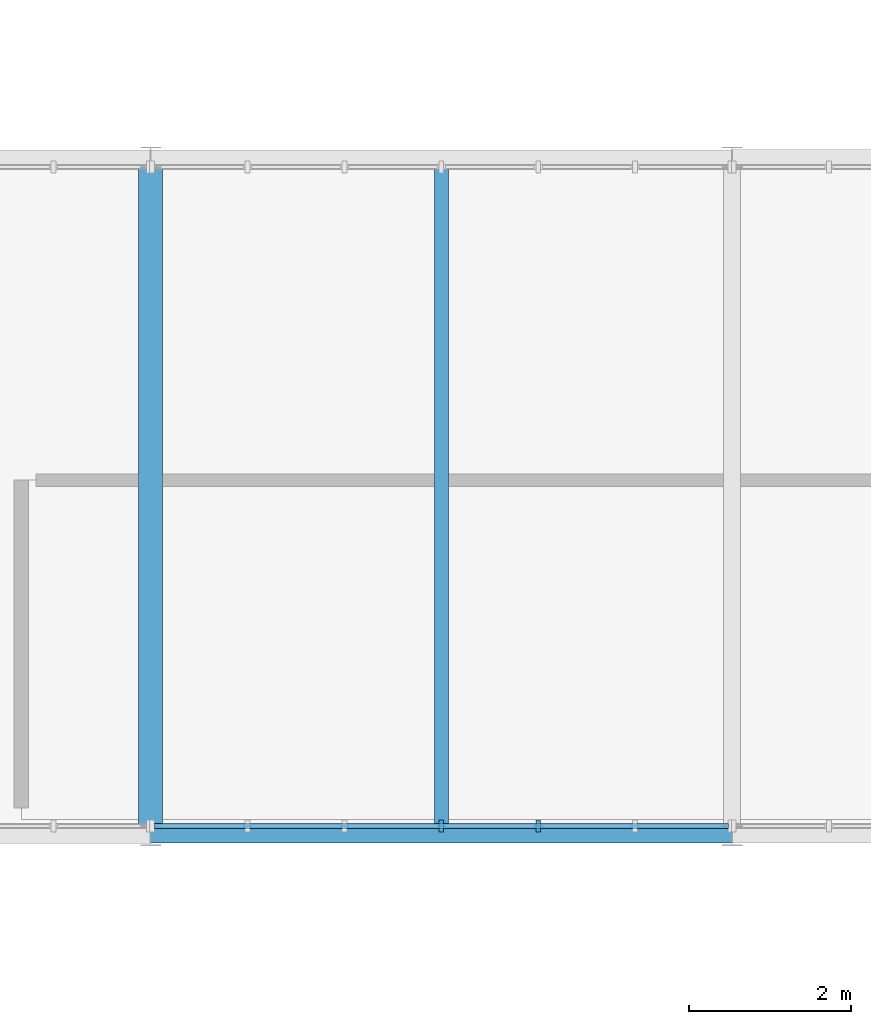
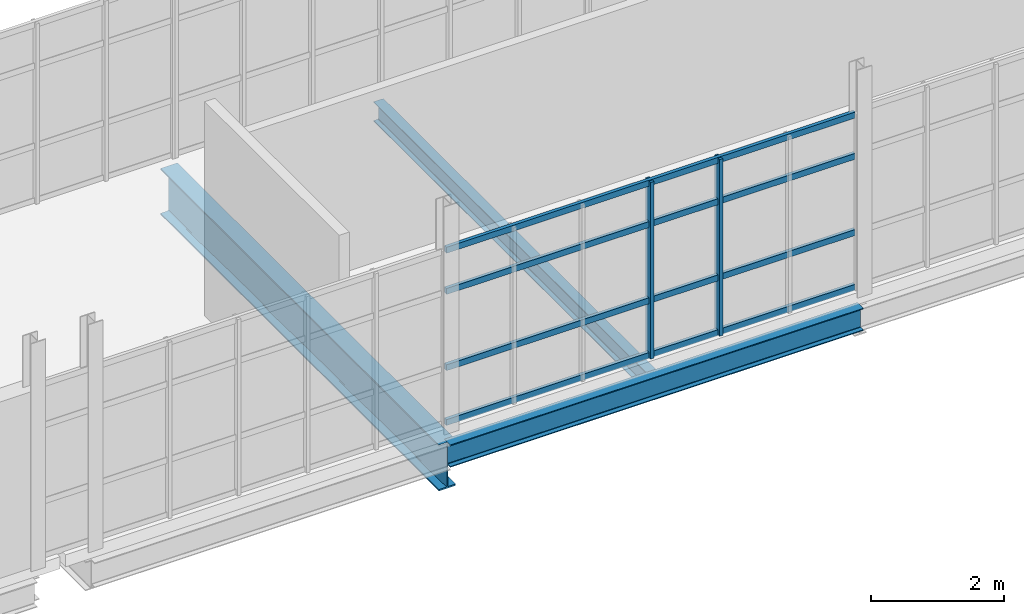
# One storey, part 24 of 99: 6 members, 3 beams, 1 element without a shape of its own.
"""IFC4 building model written with IfcOpenShell, lengths in metres."""

from ifc_helpers import new_model, si_unit, direction, frame, origin, origin_2d, place, context, subcontext, project, spatial, rectangle, i_section, extrude, material, material_profile, profile_set, type_object, element, aggregate, save


model = new_model("IFC4")

# Units and contexts
model_context = context("Model", 3, precision=1e-05, world=origin(), true_north=direction((0.0, 1.0)))
body_context = subcontext(model_context, "Body", "Model", "MODEL_VIEW")
ifc_project = project(units=[si_unit("LENGTHUNIT", "METRE"), si_unit("AREAUNIT", "SQUARE_METRE"), si_unit("VOLUMEUNIT", "CUBIC_METRE"), si_unit("PLANEANGLEUNIT", "RADIAN"), si_unit("MASSUNIT", "GRAM", prefix="KILO")], contexts=[model_context])

# Site, building, storey
site_placement = place(None, origin())
site = spatial("IfcSite", under=ifc_project, at=site_placement, CompositionType="ELEMENT")
building_placement = place(site_placement, origin())
building = spatial("IfcBuilding", under=site, at=building_placement, Name="Qelthora Terrace Specialist Clinic", CompositionType="ELEMENT")
storey_placement = place(building_placement, frame((0.0, 0.0, 9.0)))
storey = spatial("IfcBuildingStorey", under=building, at=storey_placement, Name="L02", CompositionType="ELEMENT", Elevation=9.0)

# Beams
ifc_material_1 = material(Name="Steel S355", Category="steel")
ifc_material_profile_1 = material_profile(ifc_material_1, i_section(OverallWidth=0.179931640625, OverallDepth=0.4130859375, WebThickness=0.009765625, FlangeThickness=0.01611328125, FilletRadius=0.011962890625, at=origin_2d()), Name="W410X75")
ifc_profile_set_1 = profile_set([ifc_material_profile_1], Name="Steel S355")
beam_type_1 = type_object("IfcBeamType", Name="BM-W410X75", PredefinedType="BEAM", material=ifc_profile_set_1)
beam_1_placement = place(storey_placement, frame((57.60009765625, 58.800048828125, -0.45654296875), z_axis=(1.0, 0.0, 0.0), x_axis=(0.0, 1.0, 0.0)))
element("IfcBeam", 1, at=beam_1_placement, inside=storey, type_object=beam_type_1, Name="Girder BMX-L02-0639", PredefinedType="BEAM", context=body_context, shape_type="SweptSolid", body=[
    extrude(i_section(OverallWidth=0.179931640625, OverallDepth=0.4130859375, WebThickness=0.009765625, FlangeThickness=0.01611328125, FilletRadius=0.011962890625, at=origin_2d()), origin(), (0.0, 0.0, 1.0), 7.199951171875),
])
ifc_material_profile_2 = material_profile(ifc_material_1, i_section(OverallWidth=0.2939453125, OverallDepth=0.85107421875, WebThickness=0.01611328125, FlangeThickness=0.02685546875, FilletRadius=0.02001953125, at=origin_2d()), Name="W840X226")
ifc_profile_set_2 = profile_set([ifc_material_profile_2], Name="Steel S355")
beam_type_2 = type_object("IfcBeamType", Name="BM-W840X226", PredefinedType="BEAM", material=ifc_profile_set_2)
beam_2_placement = place(storey_placement, frame((57.60009765625, 58.800048828125, -0.675537109375), z_axis=(0.0, 1.0, 0.0), x_axis=(-1.0, 0.0, 0.0)))
element("IfcBeam", 2, at=beam_2_placement, inside=storey, type_object=beam_type_2, Name="Girder BMY-L02-0811", PredefinedType="BEAM", context=body_context, shape_type="SweptSolid", body=[
    extrude(i_section(OverallWidth=0.2939453125, OverallDepth=0.85107421875, WebThickness=0.01611328125, FlangeThickness=0.02685546875, FilletRadius=0.02001953125, at=origin_2d()), origin(), (0.0, 0.0, 1.0), 8.39990234375),
])

# Curtain wall, members
ifc_material_2 = material(Name="Aluminium anodized bronze", Category="aluminium")
curtain_wall_type = type_object("IfcCurtainWallType", Name="CW-BRG-L02", PredefinedType="NOTDEFINED", material=ifc_material_2)
curtain_wall_placement = place(storey_placement, origin())
curtain_wall = element("IfcCurtainWall", 3, at=curtain_wall_placement, inside=storey, type_object=curtain_wall_type, Name="Curtain wall CW-L02-263", PredefinedType="NOTDEFINED")
ifc_material_profile_3 = material_profile(ifc_material_2, rectangle(XDim=0.06005859375, YDim=0.14990234375, at=origin_2d()), Name="CWM60X150")
ifc_profile_set_3 = profile_set([ifc_material_profile_3], Name="Aluminium anodized bronze")
member_type_1 = type_object("IfcMemberType", Name="CWM-60X150", PredefinedType="MULLION", material=ifc_profile_set_3)
member_1_placement = place(storey_placement, frame((61.199951171875, 58.919921875, 0.0), z_axis=(0.0, 0.0, 1.0), x_axis=(1.0, 0.0, 0.0)))
member_1 = element("IfcMember", 4, at=member_1_placement, type_object=member_type_1, Name="CW-L02-263 mullion 4", PredefinedType="MULLION", context=body_context, shape_type="SweptSolid", body=[
    extrude(rectangle(XDim=0.06005859375, YDim=0.14990234375, at=origin_2d()), origin(), (0.0, 0.0, 1.0), 3.25390625),
])
member_2_placement = place(storey_placement, frame((62.39990234375, 58.919921875, 0.0), z_axis=(0.0, 0.0, 1.0), x_axis=(1.0, 0.0, 0.0)))
member_2 = element("IfcMember", 5, at=member_2_placement, type_object=member_type_1, Name="CW-L02-263 mullion 5", PredefinedType="MULLION", context=body_context, shape_type="SweptSolid", body=[
    extrude(rectangle(XDim=0.06005859375, YDim=0.14990234375, at=origin_2d()), origin(), (0.0, 0.0, 1.0), 3.25390625),
])
ifc_material_profile_4 = material_profile(ifc_material_2, rectangle(XDim=0.06005859375, YDim=0.110107421875, at=origin_2d()), Name="CWT60X110")
ifc_profile_set_4 = profile_set([ifc_material_profile_4], Name="Aluminium anodized bronze")
member_type_2 = type_object("IfcMemberType", Name="CWT-60X110", PredefinedType="USERDEFINED", material=ifc_profile_set_4)
member_3_placement = place(storey_placement, frame((57.639892578125, 58.919921875, 0.0400390625), z_axis=(1.0, 0.0, 0.0), x_axis=(0.0, 1.0, 0.0)))
member_3 = element("IfcMember", 6, at=member_3_placement, type_object=member_type_2, Name="CW-L02-263 transom 1", ObjectType="TRANSOM", PredefinedType="USERDEFINED", context=body_context, shape_type="SweptSolid", body=[
    extrude(rectangle(XDim=0.06005859375, YDim=0.110107421875, at=origin_2d()), origin(), (0.0, 0.0, 1.0), 7.1201171875),
])
member_4_placement = place(storey_placement, frame((57.639892578125, 58.919921875, 1.050048828125), z_axis=(1.0, 0.0, 0.0), x_axis=(0.0, 1.0, 0.0)))
member_4 = element("IfcMember", 7, at=member_4_placement, type_object=member_type_2, Name="CW-L02-263 transom 2", ObjectType="TRANSOM", PredefinedType="USERDEFINED", context=body_context, shape_type="SweptSolid", body=[
    extrude(rectangle(XDim=0.06005859375, YDim=0.110107421875, at=origin_2d()), origin(), (0.0, 0.0, 1.0), 7.1201171875),
])
member_5_placement = place(storey_placement, frame((57.639892578125, 58.919921875, 2.4541015625), z_axis=(1.0, 0.0, 0.0), x_axis=(0.0, 1.0, 0.0)))
member_5 = element("IfcMember", 8, at=member_5_placement, type_object=member_type_2, Name="CW-L02-263 transom 3", ObjectType="TRANSOM", PredefinedType="USERDEFINED", context=body_context, shape_type="SweptSolid", body=[
    extrude(rectangle(XDim=0.06005859375, YDim=0.110107421875, at=origin_2d()), origin(), (0.0, 0.0, 1.0), 7.1201171875),
])
member_6_placement = place(storey_placement, frame((57.639892578125, 58.919921875, 3.214111328125), z_axis=(1.0, 0.0, 0.0), x_axis=(0.0, 1.0, 0.0)))
member_6 = element("IfcMember", 9, at=member_6_placement, type_object=member_type_2, Name="CW-L02-263 transom 4", ObjectType="TRANSOM", PredefinedType="USERDEFINED", context=body_context, shape_type="SweptSolid", body=[
    extrude(rectangle(XDim=0.06005859375, YDim=0.110107421875, at=origin_2d()), origin(), (0.0, 0.0, 1.0), 7.1201171875),
])
aggregate(curtain_wall, [member_1, member_2, member_3, member_4, member_5, member_6])

# Beam
ifc_material_profile_5 = material_profile(ifc_material_1, i_section(OverallWidth=0.172119140625, OverallDepth=0.35791015625, WebThickness=0.0078125, FlangeThickness=0.01318359375, FilletRadius=0.010986328125, at=origin_2d()), Name="W360X57")
ifc_profile_set_5 = profile_set([ifc_material_profile_5], Name="Steel S355")
beam_type_3 = type_object("IfcBeamType", Name="JST-W360X57", PredefinedType="JOIST", material=ifc_profile_set_5)
beam_3_placement = place(storey_placement, frame((61.199951171875, 58.889892578125, -0.428955078125), z_axis=(0.0, 1.0, 0.0), x_axis=(-1.0, 0.0, 0.0)))
element("IfcBeam", 10, at=beam_3_placement, inside=storey, type_object=beam_type_3, Name="Composite floor joist JST-L02-0170", PredefinedType="JOIST", context=body_context, shape_type="SweptSolid", body=[
    extrude(i_section(OverallWidth=0.172119140625, OverallDepth=0.35791015625, WebThickness=0.0078125, FlangeThickness=0.01318359375, FilletRadius=0.010986328125, at=origin_2d()), origin(), (0.0, 0.0, 1.0), 8.220703125),
])

save(model, "model.ifc")
